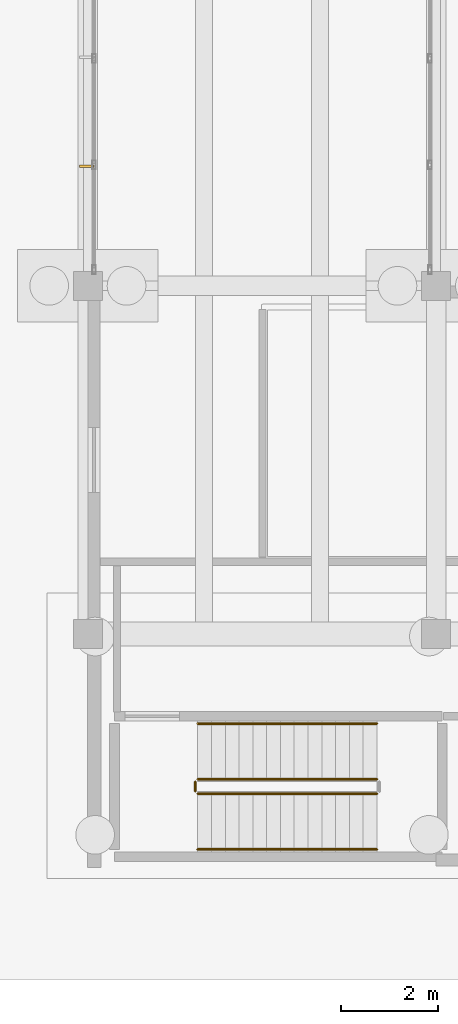
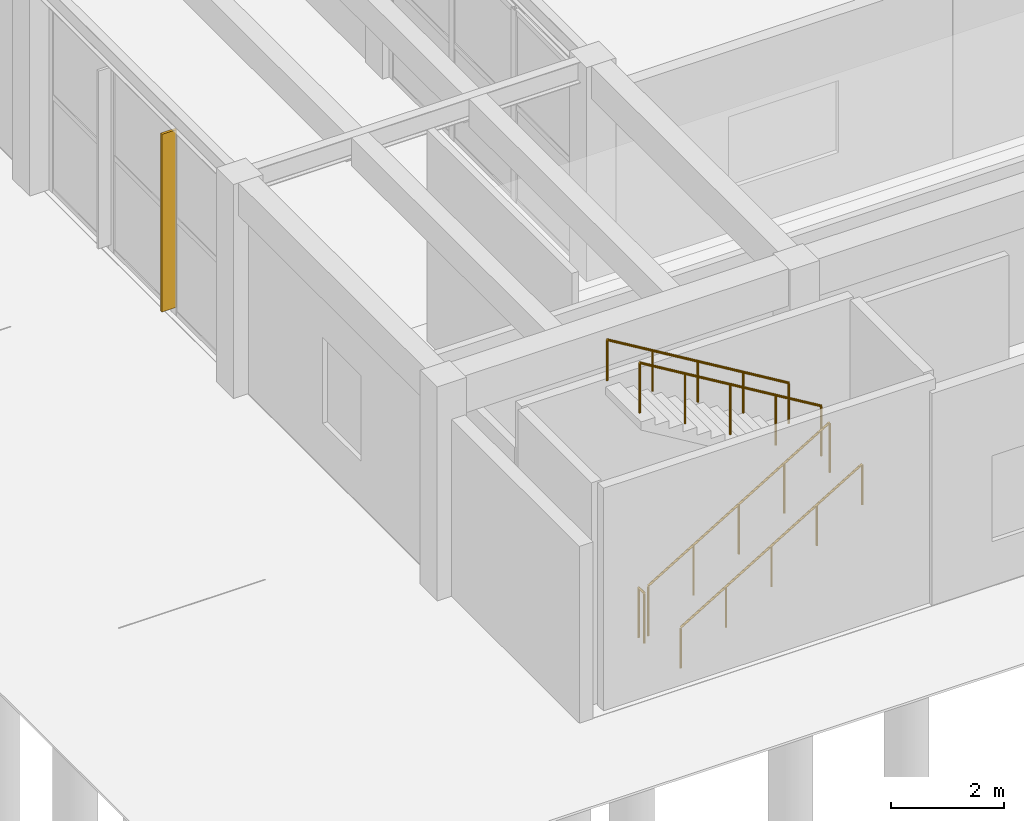
# One storey, part 131 of 155: 5 railings, 1 shading device.
"""IFC4 building model written with IfcOpenShell, lengths in metres."""

from ifc_helpers import new_model, si_unit, direction, frame, origin, origin_2d, place, context, subcontext, project, spatial, rectangle, circle, extrude, material, layer, layer_set, type_object, element, save


model = new_model("IFC4")

# Units and contexts
model_context = context("Model", 3, precision=1e-05, world=origin(), true_north=direction((0.0, 1.0)))
body_context = subcontext(model_context, "Body", "Model", "MODEL_VIEW")
ifc_project = project(units=[si_unit("LENGTHUNIT", "METRE"), si_unit("AREAUNIT", "SQUARE_METRE"), si_unit("VOLUMEUNIT", "CUBIC_METRE"), si_unit("PLANEANGLEUNIT", "RADIAN"), si_unit("MASSUNIT", "GRAM", prefix="KILO")], contexts=[model_context])

# Site, building, storey
site_placement = place(None, origin())
site = spatial("IfcSite", under=ifc_project, at=site_placement, CompositionType="ELEMENT")
building_placement = place(site_placement, origin())
building = spatial("IfcBuilding", under=site, at=building_placement, Name="Bramvelor Terrace Health Centre", CompositionType="ELEMENT")
storey_placement = place(building_placement, origin())
storey = spatial("IfcBuildingStorey", under=building, at=storey_placement, Name="L01", CompositionType="ELEMENT", Elevation=0.0)

# Railings
ifc_material_1 = material(Name="Painted galvanized steel", Category="steel")
railing_type_1 = type_object("IfcRailingType", Name="RLG-GD-1100", PredefinedType="GUARDRAIL", material=ifc_material_1)
railing_1_placement = place(storey_placement, frame((59.8701171875, 3.89990234375, 0.17138671875)))
element("IfcRailing", 1, at=railing_1_placement, inside=storey, type_object=railing_type_1, Name="L01 ST-9 stair guard 1", PredefinedType="GUARDRAIL", context=body_context, shape_type="SweptSolid", body=[
    extrude(circle(Radius=0.02392578125, at=origin_2d()), frame((0.0, 0.0, 1.076171875), z_axis=(0.856919398105, 0.0, 0.515450429384), x_axis=(0.0, 1.0, 0.0)), (0.0, 0.0, 1.0), 4.323486328125),
    extrude(circle(Radius=0.02099609375, at=origin_2d()), origin(), (0.0, 0.0, 1.0), 1.052001953125),
    extrude(circle(Radius=0.02099609375, at=origin_2d()), frame((0.92626953125, 0.0, 0.55712890625)), (0.0, 0.0, 1.0), 1.052001953125),
    extrude(circle(Radius=0.02099609375, at=origin_2d()), frame((1.8525390625, 0.0, 1.1142578125)), (0.0, 0.0, 1.0), 1.052001953125),
    extrude(circle(Radius=0.02099609375, at=origin_2d()), frame((2.778564453125, 0.0, 1.67138671875)), (0.0, 0.0, 1.0), 1.052001953125),
    extrude(circle(Radius=0.02099609375, at=origin_2d()), frame((3.704833984375, 0.0, 2.228515625)), (0.0, 0.0, 1.0), 1.052001953125),
])
railing_2_placement = place(storey_placement, frame((63.574951171875, 4.199951171875, 2.571533203125)))
element("IfcRailing", 2, at=railing_2_placement, inside=storey, type_object=railing_type_1, Name="L01 ST-9 stair guard 3", PredefinedType="GUARDRAIL", context=body_context, shape_type="SweptSolid", body=[
    extrude(circle(Radius=0.02392578125, at=origin_2d()), frame((0.0, 0.0, 1.076171875), z_axis=(-0.856919398105, 0.0, 0.515450429384), x_axis=(0.0, -1.0, 0.0)), (0.0, 0.0, 1.0), 4.323486328125),
    extrude(circle(Radius=0.02099609375, at=origin_2d()), origin(), (0.0, 0.0, 1.0), 1.052001953125),
    extrude(circle(Radius=0.02099609375, at=origin_2d()), frame((-0.92626953125, 0.0, 0.55712890625)), (0.0, 0.0, 1.0), 1.052001953125),
    extrude(circle(Radius=0.02099609375, at=origin_2d()), frame((-1.8525390625, 0.0, 1.1142578125)), (0.0, 0.0, 1.0), 1.052001953125),
    extrude(circle(Radius=0.02099609375, at=origin_2d()), frame((-2.778564453125, 0.0, 1.67138671875)), (0.0, 0.0, 1.0), 1.052001953125),
    extrude(circle(Radius=0.02099609375, at=origin_2d()), frame((-3.704833984375, 0.0, 2.228515625)), (0.0, 0.0, 1.0), 1.052001953125),
])
railing_3_placement = place(storey_placement, frame((59.820068359375, 3.949951171875, 0.0)))
element("IfcRailing", 3, at=railing_3_placement, inside=storey, type_object=railing_type_1, Name="L01 ST-9 stair guard 4", PredefinedType="GUARDRAIL", context=body_context, shape_type="SweptSolid", body=[
    extrude(circle(Radius=0.02392578125, at=origin_2d()), frame((0.0, 0.0, 1.076171875), z_axis=(0.0, 1.0, 0.0), x_axis=(-1.0, 0.0, 0.0)), (0.0, 0.0, 1.0), 0.199951171875),
    extrude(circle(Radius=0.02099609375, at=origin_2d()), origin(), (0.0, 0.0, 1.0), 1.052001953125),
    extrude(circle(Radius=0.02099609375, at=origin_2d()), frame((0.0, 0.199951171875, 0.0)), (0.0, 0.0, 1.0), 1.052001953125),
])
ifc_material_2 = material(Name="Brushed stainless steel 316", Category="steel")
railing_type_2 = type_object("IfcRailingType", Name="RLG-HR-900", PredefinedType="HANDRAIL", material=ifc_material_2)
railing_4_placement = place(storey_placement, frame((59.8701171875, 2.75, 0.17138671875)))
element("IfcRailing", 4, at=railing_4_placement, inside=storey, type_object=railing_type_2, Name="L01 ST-9 stair handrail 1", PredefinedType="HANDRAIL", context=body_context, shape_type="SweptSolid", body=[
    extrude(circle(Radius=0.02392578125, at=origin_2d()), frame((0.0, 0.0, 0.8759765625), z_axis=(0.856919398105, 0.0, 0.515450429384), x_axis=(0.0, 1.0, 0.0)), (0.0, 0.0, 1.0), 4.323486328125),
    extrude(circle(Radius=0.02099609375, at=origin_2d()), origin(), (0.0, 0.0, 1.0), 0.851806640625),
    extrude(circle(Radius=0.02099609375, at=origin_2d()), frame((0.92626953125, 0.0, 0.55712890625)), (0.0, 0.0, 1.0), 0.851806640625),
    extrude(circle(Radius=0.02099609375, at=origin_2d()), frame((1.8525390625, 0.0, 1.1142578125)), (0.0, 0.0, 1.0), 0.851806640625),
    extrude(circle(Radius=0.02099609375, at=origin_2d()), frame((2.778564453125, 0.0, 1.67138671875)), (0.0, 0.0, 1.0), 0.851806640625),
    extrude(circle(Radius=0.02099609375, at=origin_2d()), frame((3.704833984375, 0.0, 2.228515625)), (0.0, 0.0, 1.0), 0.851806640625),
])
railing_5_placement = place(storey_placement, frame((63.574951171875, 5.35009765625, 2.571533203125)))
element("IfcRailing", 5, at=railing_5_placement, inside=storey, type_object=railing_type_2, Name="L01 ST-9 stair handrail 2", PredefinedType="HANDRAIL", context=body_context, shape_type="SweptSolid", body=[
    extrude(circle(Radius=0.02392578125, at=origin_2d()), frame((0.0, 0.0, 0.8759765625), z_axis=(-0.856919398105, 0.0, 0.515450429384), x_axis=(0.0, -1.0, 0.0)), (0.0, 0.0, 1.0), 4.323486328125),
    extrude(circle(Radius=0.02099609375, at=origin_2d()), origin(), (0.0, 0.0, 1.0), 0.851806640625),
    extrude(circle(Radius=0.02099609375, at=origin_2d()), frame((-0.92626953125, 0.0, 0.55712890625)), (0.0, 0.0, 1.0), 0.851806640625),
    extrude(circle(Radius=0.02099609375, at=origin_2d()), frame((-1.8525390625, 0.0, 1.1142578125)), (0.0, 0.0, 1.0), 0.851806640625),
    extrude(circle(Radius=0.02099609375, at=origin_2d()), frame((-2.778564453125, 0.0, 1.67138671875)), (0.0, 0.0, 1.0), 0.851806640625),
    extrude(circle(Radius=0.02099609375, at=origin_2d()), frame((-3.704833984375, 0.0, 2.228515625)), (0.0, 0.0, 1.0), 0.851806640625),
])

# Shading device
ifc_material_3 = material(Name="Anodized aluminium 6063-T6", Category="aluminium")
ifc_layer = layer(ifc_material_3, 0.050048828125)
ifc_layer_set = layer_set([ifc_layer], Name="Anodized aluminium 6063-T6")
shading_device_type = type_object("IfcShadingDeviceType", Name="SHD-FIN-300", PredefinedType="JALOUSIE", material=ifc_layer_set)
shading_device_placement = place(storey_placement, frame((57.580078125, 16.876220703125, 0.14990234375), z_axis=(0.0, 0.0, 1.0), x_axis=(1.0, 0.0, 0.0)))
element("IfcShadingDevice", 6, at=shading_device_placement, inside=storey, type_object=shading_device_type, Name="L01 Solar Shading Louvre Fin 49", PredefinedType="JALOUSIE", context=body_context, shape_type="SweptSolid", body=[
    extrude(rectangle(XDim=0.300048828125, YDim=0.050048828125, at=origin_2d()), origin(), (0.0, 0.0, 1.0), 3.833984375),
])

save(model, "model.ifc")
